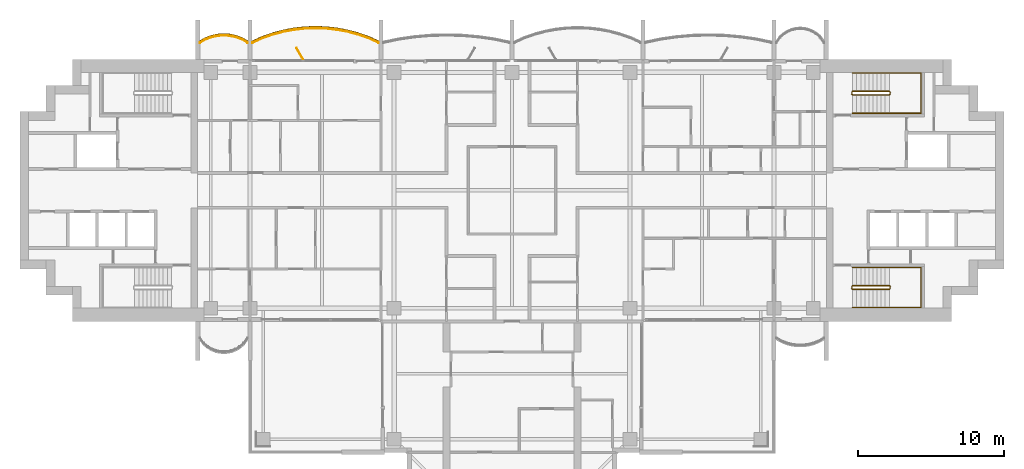
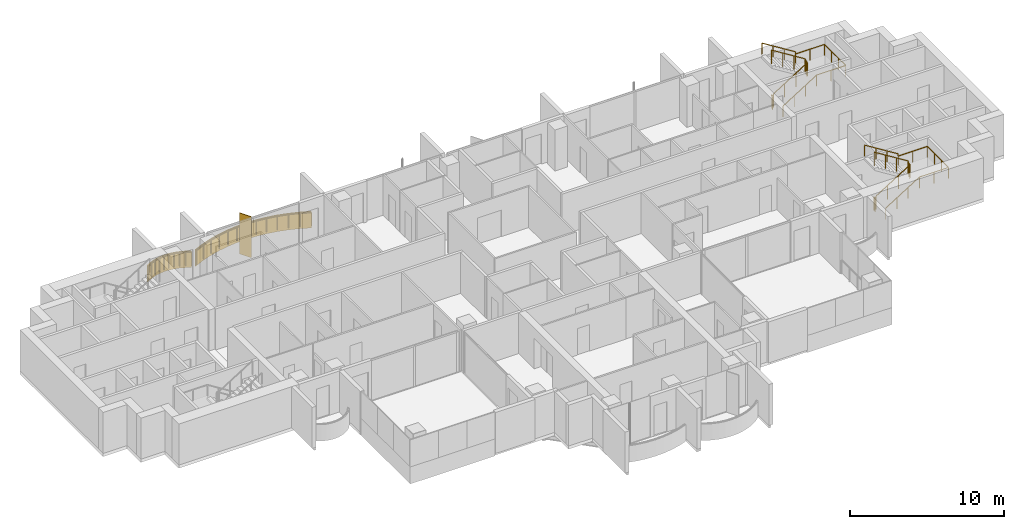
# One storey, part 17 of 18: 6 railings, 2 coverings, 1 shading device.
"""IFC4 building model written with IfcOpenShell, lengths in metres."""

from ifc_helpers import new_model, si_unit, direction, frame, origin, origin_2d, place, context, subcontext, project, spatial, polyline, rectangle, outline, extrude, material, layer, layer_set, type_object, element, save


model = new_model("IFC4")

# Units and contexts
model_context = context("Model", 3, precision=1e-05, world=origin(), true_north=direction((0.0, 1.0)))
body_context = subcontext(model_context, "Body", "Model", "MODEL_VIEW")
ifc_project = project(units=[si_unit("LENGTHUNIT", "METRE"), si_unit("AREAUNIT", "SQUARE_METRE"), si_unit("VOLUMEUNIT", "CUBIC_METRE"), si_unit("PLANEANGLEUNIT", "RADIAN"), si_unit("MASSUNIT", "GRAM", prefix="KILO")], contexts=[model_context])

# Site, building, storey
site_placement = place(None, origin())
site = spatial("IfcSite", under=ifc_project, at=site_placement, CompositionType="ELEMENT")
building_placement = place(site_placement, origin())
building = spatial("IfcBuilding", under=site, at=building_placement, Name="Perihelion Cross Residences", CompositionType="ELEMENT")
storey_placement = place(building_placement, frame((0.0, 0.0, 173.60009765625)))
storey = spatial("IfcBuildingStorey", under=building, at=storey_placement, Name="L42", CompositionType="ELEMENT", Elevation=173.60009765625)

# Coverings
ifc_material_1 = material(Name="Bronze anodised aluminium", Category="aluminium")
ifc_layer_1 = layer(ifc_material_1, 0.070068359375)
ifc_layer_set_1 = layer_set([ifc_layer_1], Name="Balcony fascia 1300")
covering_type = type_object("IfcCoveringType", Name="Balcony fascia 1300", PredefinedType="CLADDING", material=ifc_layer_set_1)
covering_1_placement = place(storey_placement, frame((0.0, 0.0, -0.2001953125)))
element("IfcCovering", 1, at=covering_1_placement, inside=storey, type_object=covering_type, Name="Fascia BF1 L42 west side north bay 1", PredefinedType="CLADDING", context=body_context, shape_type="SweptSolid", body=[
    extrude(outline(polyline([(-9.849365234375, 10.582275390625), (-10.57958984375, 10.83544921875), (-11.309814453125, 11.028076171875), (-12.039794921875, 11.1630859375), (-12.77001953125, 11.243408203125), (-13.5, 11.27001953125), (-14.22998046875, 11.243408203125), (-14.960205078125, 11.1630859375), (-15.690185546875, 11.028076171875), (-16.42041015625, 10.83544921875), (-17.150634765625, 10.582275390625), (-17.85009765625, 10.2763671875), (-17.85009765625, 10.199951171875), (-17.125, 10.51708984375), (-16.39990234375, 10.7685546875), (-15.675048828125, 10.959716796875), (-14.949951171875, 11.093994140625), (-14.22509765625, 11.173583984375), (-13.5, 11.199951171875), (-12.77490234375, 11.173583984375), (-12.050048828125, 11.093994140625), (-11.324951171875, 10.959716796875), (-10.60009765625, 10.7685546875), (-9.875, 10.51708984375), (-9.14990234375, 10.199951171875), (-9.14990234375, 10.2763671875), (-9.849365234375, 10.582275390625)])), origin(), (0.0, 0.0, 1.0), 1.300048828125),
])
covering_2_placement = place(storey_placement, frame((0.0, 0.0, -0.2001953125)))
element("IfcCovering", 2, at=covering_2_placement, inside=storey, type_object=covering_type, Name="Fascia BF1 L42 west side north bay 2", PredefinedType="CLADDING", context=body_context, shape_type="SweptSolid", body=[
    extrude(outline(polyline([(-18.486328125, 10.4716796875), (-18.861572265625, 10.62158203125), (-19.237060546875, 10.717529296875), (-19.6123046875, 10.76416015625), (-19.987548828125, 10.76416015625), (-20.363037109375, 10.717529296875), (-20.73828125, 10.62158203125), (-21.11376953125, 10.4716796875), (-21.449951171875, 10.280517578125), (-21.449951171875, 10.199951171875), (-21.083251953125, 10.40869140625), (-20.716552734375, 10.55517578125), (-20.35009765625, 10.648681640625), (-19.9833984375, 10.6943359375), (-19.61669921875, 10.6943359375), (-19.25, 10.648681640625), (-18.88330078125, 10.55517578125), (-18.5166015625, 10.40869140625), (-18.14990234375, 10.199951171875), (-18.14990234375, 10.280517578125), (-18.486328125, 10.4716796875)])), origin(), (0.0, 0.0, 1.0), 1.300048828125),
])

# Railings
ifc_material_2 = material(Name="Bronze anodised aluminium", Category="aluminium")
railing_type_1 = type_object("IfcRailingType", Name="Balcony guard 1100", PredefinedType="GUARDRAIL", material=ifc_material_2)
railing_1_placement = place(storey_placement, frame((-9.175048828125, 10.139892578125, 0.0)))
element("IfcRailing", 3, at=railing_1_placement, inside=storey, type_object=railing_type_1, Name="Guard GU1 L42 west side north bay 1 balcony", PredefinedType="GUARDRAIL", context=body_context, shape_type="SweptSolid", body=[
    extrude(rectangle(XDim=0.048095703125, YDim=0.048095703125, at=origin_2d()), frame((0.0, 0.0, 1.076171875), z_axis=(-0.910866309087, 0.412701547089, 0.0), x_axis=(-0.412701547089, -0.910866309087, 0.0)), (0.0, 0.0, 1.0), 0.7685546875),
    extrude(rectangle(XDim=0.048095703125, YDim=0.048095703125, at=origin_2d()), frame((-0.699951171875, 0.317138671875, 1.076171875), z_axis=(-0.944796812452, 0.327656807012, 0.0), x_axis=(-0.327656807012, -0.944796812452, 0.0)), (0.0, 0.0, 1.0), 0.767578125),
    extrude(rectangle(XDim=0.048095703125, YDim=0.048095703125, at=origin_2d()), frame((-1.425048828125, 0.568603515625, 1.076171875), z_axis=(-0.966939404945, 0.255006249266, 0.0), x_axis=(-0.255006249266, -0.966939404945, 0.0)), (0.0, 0.0, 1.0), 0.749755859375),
    extrude(rectangle(XDim=0.048095703125, YDim=0.048095703125, at=origin_2d()), frame((-2.14990234375, 0.759765625, 1.076171875), z_axis=(-0.983282004984, 0.182089260182, 0.0), x_axis=(-0.182089260182, -0.983282004984, 0.0)), (0.0, 0.0, 1.0), 0.7373046875),
    extrude(rectangle(XDim=0.048095703125, YDim=0.048095703125, at=origin_2d()), frame((-2.875, 0.89404296875, 1.076171875), z_axis=(-0.994025805622, 0.109145305703, 0.0), x_axis=(-0.109145305703, -0.994025805622, 0.0)), (0.0, 0.0, 1.0), 0.729248046875),
    extrude(rectangle(XDim=0.048095703125, YDim=0.048095703125, at=origin_2d()), frame((-3.599853515625, 0.9736328125, 1.076171875), z_axis=(-0.999339497946, 0.036339618107, 0.0), x_axis=(-0.036339618107, -0.999339497946, 0.0)), (0.0, 0.0, 1.0), 0.7255859375),
    extrude(rectangle(XDim=0.048095703125, YDim=0.048095703125, at=origin_2d()), frame((-4.324951171875, 1.0, 1.076171875), z_axis=(-0.999339497946, -0.036339618107, 0.0), x_axis=(0.036339618107, -0.999339497946, 0.0)), (0.0, 0.0, 1.0), 0.7255859375),
    extrude(rectangle(XDim=0.048095703125, YDim=0.048095703125, at=origin_2d()), frame((-5.050048828125, 0.9736328125, 1.076171875), z_axis=(-0.994025805622, -0.109145305703, 0.0), x_axis=(0.109145305703, -0.994025805622, 0.0)), (0.0, 0.0, 1.0), 0.729248046875),
    extrude(rectangle(XDim=0.048095703125, YDim=0.048095703125, at=origin_2d()), frame((-5.77490234375, 0.89404296875, 1.076171875), z_axis=(-0.983282004984, -0.182089260182, 0.0), x_axis=(0.182089260182, -0.983282004984, 0.0)), (0.0, 0.0, 1.0), 0.7373046875),
    extrude(rectangle(XDim=0.048095703125, YDim=0.048095703125, at=origin_2d()), frame((-6.5, 0.759765625, 1.076171875), z_axis=(-0.966939404945, -0.255006249266, 0.0), x_axis=(0.255006249266, -0.966939404945, 0.0)), (0.0, 0.0, 1.0), 0.749755859375),
    extrude(rectangle(XDim=0.048095703125, YDim=0.048095703125, at=origin_2d()), frame((-7.224853515625, 0.568603515625, 1.076171875), z_axis=(-0.944796812452, -0.327656807012, 0.0), x_axis=(0.327656807012, -0.944796812452, 0.0)), (0.0, 0.0, 1.0), 0.767578125),
    extrude(rectangle(XDim=0.048095703125, YDim=0.048095703125, at=origin_2d()), frame((-7.949951171875, 0.317138671875, 1.076171875), z_axis=(-0.910866309087, -0.412701547089, 0.0), x_axis=(0.412701547089, -0.910866309087, 0.0)), (0.0, 0.0, 1.0), 0.7685546875),
    extrude(rectangle(XDim=0.0419921875, YDim=0.0419921875, at=origin_2d()), origin(), (0.0, 0.0, 1.0), 1.052001953125),
    extrude(rectangle(XDim=0.0419921875, YDim=0.0419921875, at=origin_2d()), frame((-0.699951171875, 0.317138671875, 0.0)), (0.0, 0.0, 1.0), 1.052001953125),
    extrude(rectangle(XDim=0.0419921875, YDim=0.0419921875, at=origin_2d()), frame((-1.425048828125, 0.568603515625, 0.0)), (0.0, 0.0, 1.0), 1.052001953125),
    extrude(rectangle(XDim=0.0419921875, YDim=0.0419921875, at=origin_2d()), frame((-2.14990234375, 0.759765625, 0.0)), (0.0, 0.0, 1.0), 1.052001953125),
    extrude(rectangle(XDim=0.0419921875, YDim=0.0419921875, at=origin_2d()), frame((-2.875, 0.89404296875, 0.0)), (0.0, 0.0, 1.0), 1.052001953125),
    extrude(rectangle(XDim=0.0419921875, YDim=0.0419921875, at=origin_2d()), frame((-3.599853515625, 0.9736328125, 0.0)), (0.0, 0.0, 1.0), 1.052001953125),
    extrude(rectangle(XDim=0.0419921875, YDim=0.0419921875, at=origin_2d()), frame((-4.324951171875, 1.0, 0.0)), (0.0, 0.0, 1.0), 1.052001953125),
    extrude(rectangle(XDim=0.0419921875, YDim=0.0419921875, at=origin_2d()), frame((-5.050048828125, 0.9736328125, 0.0)), (0.0, 0.0, 1.0), 1.052001953125),
    extrude(rectangle(XDim=0.0419921875, YDim=0.0419921875, at=origin_2d()), frame((-5.77490234375, 0.89404296875, 0.0)), (0.0, 0.0, 1.0), 1.052001953125),
    extrude(rectangle(XDim=0.0419921875, YDim=0.0419921875, at=origin_2d()), frame((-6.5, 0.759765625, 0.0)), (0.0, 0.0, 1.0), 1.052001953125),
    extrude(rectangle(XDim=0.0419921875, YDim=0.0419921875, at=origin_2d()), frame((-7.224853515625, 0.568603515625, 0.0)), (0.0, 0.0, 1.0), 1.052001953125),
    extrude(rectangle(XDim=0.0419921875, YDim=0.0419921875, at=origin_2d()), frame((-7.949951171875, 0.317138671875, 0.0)), (0.0, 0.0, 1.0), 1.052001953125),
    extrude(rectangle(XDim=0.0419921875, YDim=0.0419921875, at=origin_2d()), frame((-8.64990234375, 0.0, 0.0)), (0.0, 0.0, 1.0), 1.052001953125),
])
railing_2_placement = place(storey_placement, frame((-18.175048828125, 10.139892578125, 0.0)))
element("IfcRailing", 4, at=railing_2_placement, inside=storey, type_object=railing_type_1, Name="Guard GU1 L42 west side north bay 2 balcony", PredefinedType="GUARDRAIL", context=body_context, shape_type="SweptSolid", body=[
    extrude(rectangle(XDim=0.048095703125, YDim=0.048095703125, at=origin_2d()), frame((0.0, 0.0, 1.076171875), z_axis=(-0.853266756821, 0.52147467983, 0.0), x_axis=(-0.52147467983, -0.853266756821, 0.0)), (0.0, 0.0, 1.0), 0.400390625),
    extrude(rectangle(XDim=0.048095703125, YDim=0.048095703125, at=origin_2d()), frame((-0.341552734375, 0.208740234375, 1.076171875), z_axis=(-0.928647151248, 0.37096424151, 0.0), x_axis=(-0.37096424151, -0.928647151248, 0.0)), (0.0, 0.0, 1.0), 0.394775390625),
    extrude(rectangle(XDim=0.048095703125, YDim=0.048095703125, at=origin_2d()), frame((-0.708251953125, 0.355224609375, 1.076171875), z_axis=(-0.968993337782, 0.247086849781, 0.0), x_axis=(-0.247086849781, -0.968993337782, 0.0)), (0.0, 0.0, 1.0), 0.37841796875),
    extrude(rectangle(XDim=0.048095703125, YDim=0.048095703125, at=origin_2d()), frame((-1.074951171875, 0.44873046875, 1.076171875), z_axis=(-0.992338742457, 0.123546834114, 0.0), x_axis=(-0.123546834114, -0.992338742457, 0.0)), (0.0, 0.0, 1.0), 0.36962890625),
    extrude(rectangle(XDim=0.048095703125, YDim=0.048095703125, at=origin_2d()), frame((-1.441650390625, 0.494384765625, 1.076171875), z_axis=(-1.0, 0.0, 0.0), x_axis=(0.0, -1.0, 0.0)), (0.0, 0.0, 1.0), 0.36669921875),
    extrude(rectangle(XDim=0.048095703125, YDim=0.048095703125, at=origin_2d()), frame((-1.808349609375, 0.494384765625, 1.076171875), z_axis=(-0.992338742457, -0.123546834114, 0.0), x_axis=(0.123546834114, -0.992338742457, 0.0)), (0.0, 0.0, 1.0), 0.36962890625),
    extrude(rectangle(XDim=0.048095703125, YDim=0.048095703125, at=origin_2d()), frame((-2.175048828125, 0.44873046875, 1.076171875), z_axis=(-0.968953914071, -0.247241405123, 0.0), x_axis=(0.247241405123, -0.968953914071, 0.0)), (0.0, 0.0, 1.0), 0.378173828125),
    extrude(rectangle(XDim=0.048095703125, YDim=0.048095703125, at=origin_2d()), frame((-2.54150390625, 0.355224609375, 1.076171875), z_axis=(-0.928647151248, -0.37096424151, 0.0), x_axis=(0.37096424151, -0.928647151248, 0.0)), (0.0, 0.0, 1.0), 0.394775390625),
    extrude(rectangle(XDim=0.048095703125, YDim=0.048095703125, at=origin_2d()), frame((-2.908203125, 0.208740234375, 1.076171875), z_axis=(-0.853432484338, -0.521203410078, 0.0), x_axis=(0.521203410078, -0.853432484338, 0.0)), (0.0, 0.0, 1.0), 0.400390625),
    extrude(rectangle(XDim=0.0419921875, YDim=0.0419921875, at=origin_2d()), origin(), (0.0, 0.0, 1.0), 1.052001953125),
    extrude(rectangle(XDim=0.0419921875, YDim=0.0419921875, at=origin_2d()), frame((-0.341552734375, 0.208740234375, 0.0)), (0.0, 0.0, 1.0), 1.052001953125),
    extrude(rectangle(XDim=0.0419921875, YDim=0.0419921875, at=origin_2d()), frame((-0.708251953125, 0.355224609375, 0.0)), (0.0, 0.0, 1.0), 1.052001953125),
    extrude(rectangle(XDim=0.0419921875, YDim=0.0419921875, at=origin_2d()), frame((-1.074951171875, 0.44873046875, 0.0)), (0.0, 0.0, 1.0), 1.052001953125),
    extrude(rectangle(XDim=0.0419921875, YDim=0.0419921875, at=origin_2d()), frame((-1.441650390625, 0.494384765625, 0.0)), (0.0, 0.0, 1.0), 1.052001953125),
    extrude(rectangle(XDim=0.0419921875, YDim=0.0419921875, at=origin_2d()), frame((-1.808349609375, 0.494384765625, 0.0)), (0.0, 0.0, 1.0), 1.052001953125),
    extrude(rectangle(XDim=0.0419921875, YDim=0.0419921875, at=origin_2d()), frame((-2.175048828125, 0.44873046875, 0.0)), (0.0, 0.0, 1.0), 1.052001953125),
    extrude(rectangle(XDim=0.0419921875, YDim=0.0419921875, at=origin_2d()), frame((-2.54150390625, 0.355224609375, 0.0)), (0.0, 0.0, 1.0), 1.052001953125),
    extrude(rectangle(XDim=0.0419921875, YDim=0.0419921875, at=origin_2d()), frame((-2.908203125, 0.208740234375, 0.0)), (0.0, 0.0, 1.0), 1.052001953125),
    extrude(rectangle(XDim=0.0419921875, YDim=0.0419921875, at=origin_2d()), frame((-3.25, 0.0, 0.0)), (0.0, 0.0, 1.0), 1.052001953125),
])

# Shading device
ifc_material_3 = material(Name="Bronze anodised aluminium", Category="aluminium")
ifc_layer_2 = layer(ifc_material_3, 0.050048828125)
ifc_layer_set_2 = layer_set([ifc_layer_2], Name="Bronze fin 900")
shading_device_type = type_object("IfcShadingDeviceType", Name="Bronze fin 900", PredefinedType="USERDEFINED", material=ifc_layer_set_2)
shading_device_placement = place(storey_placement, frame((-14.574951171875, 9.3896484375, 0.0), z_axis=(0.0, 0.0, 1.0), x_axis=(-0.5, 0.866025403784, 0.0)))
element("IfcShadingDevice", 5, at=shading_device_placement, inside=storey, type_object=shading_device_type, Name="Fin FN1 L42 west side north bay 1", ObjectType="FIN", PredefinedType="USERDEFINED", context=body_context, shape_type="SweptSolid", body=[
    extrude(rectangle(XDim=0.89990234375, YDim=0.050048828125, at=origin_2d()), origin(), (0.0, 0.0, 1.0), 3.25),
])

# Railings
ifc_material_4 = material(Name="Stainless steel", Category="steel")
railing_type_2 = type_object("IfcRailingType", Name="Stair guard 1100", PredefinedType="GUARDRAIL", material=ifc_material_4)
railing_3_placement = place(storey_placement, frame((23.35009765625, 6.75, 0.0)))
element("IfcRailing", 6, at=railing_3_placement, inside=storey, type_object=railing_type_2, Name="L42 ST-E1 stair guard 1", PredefinedType="GUARDRAIL", context=body_context, shape_type="SweptSolid", body=[
    extrude(rectangle(XDim=0.048095703125, YDim=0.048095703125, at=origin_2d()), frame((0.0, 0.0, 1.076171875), z_axis=(0.0, -1.0, 0.0), x_axis=(1.0, 0.0, 0.0)), (0.0, 0.0, 1.0), 0.14990234375),
    extrude(rectangle(XDim=0.048095703125, YDim=0.048095703125, at=origin_2d()), frame((0.0, -0.14990234375, 1.076171875), z_axis=(0.264179342666, -0.265474339444, 0.927217692888), x_axis=(0.708833529934, 0.705375805398, 0.0)), (0.0, 0.0, 1.0), 0.1884765625),
    extrude(rectangle(XDim=0.048095703125, YDim=0.048095703125, at=origin_2d()), frame((0.0498046875, -0.199951171875, 1.2509765625), z_axis=(0.847970611238, 0.0, 0.530043245855), x_axis=(0.0, 1.0, 0.0)), (0.0, 0.0, 1.0), 2.971923828125),
    extrude(rectangle(XDim=0.048095703125, YDim=0.048095703125, at=origin_2d()), frame((2.56982421875, -0.199951171875, 2.826171875), z_axis=(0.707106781187, 0.707106781187, 0.0), x_axis=(-0.707106781187, 0.707106781187, 0.0)), (0.0, 0.0, 1.0), 0.07080078125),
    extrude(rectangle(XDim=0.048095703125, YDim=0.048095703125, at=origin_2d()), frame((2.619873046875, -0.14990234375, 2.826171875), z_axis=(0.0, 1.0, 0.0), x_axis=(-1.0, 0.0, 0.0)), (0.0, 0.0, 1.0), 0.14990234375),
    extrude(rectangle(XDim=0.048095703125, YDim=0.048095703125, at=origin_2d()), frame((2.619873046875, 0.0, 2.826171875), z_axis=(-0.265383341853, 0.265383341853, 0.926899867156), x_axis=(-0.707106781187, -0.707106781187, 0.0)), (0.0, 0.0, 1.0), 0.1884765625),
    extrude(rectangle(XDim=0.048095703125, YDim=0.048095703125, at=origin_2d()), frame((2.56982421875, 0.050048828125, 3.0009765625), z_axis=(-0.847970611238, 0.0, 0.530043245855), x_axis=(0.0, -1.0, 0.0)), (0.0, 0.0, 1.0), 2.971923828125),
    extrude(rectangle(XDim=0.0419921875, YDim=0.0419921875, at=origin_2d()), origin(), (0.0, 0.0, 1.0), 1.052001953125),
    extrude(rectangle(XDim=0.0419921875, YDim=0.0419921875, at=origin_2d()), frame((0.0, -0.14990234375, 0.0)), (0.0, 0.0, 1.0), 1.052001953125),
    extrude(rectangle(XDim=0.0419921875, YDim=0.0419921875, at=origin_2d()), frame((0.0498046875, -0.199951171875, 0.1748046875)), (0.0, 0.0, 1.0), 1.052001953125),
    extrude(rectangle(XDim=0.0419921875, YDim=0.0419921875, at=origin_2d()), frame((0.889892578125, -0.199951171875, 0.699951171875)), (0.0, 0.0, 1.0), 1.052001953125),
    extrude(rectangle(XDim=0.0419921875, YDim=0.0419921875, at=origin_2d()), frame((1.729736328125, -0.199951171875, 1.224853515625)), (0.0, 0.0, 1.0), 1.052001953125),
    extrude(rectangle(XDim=0.0419921875, YDim=0.0419921875, at=origin_2d()), frame((2.56982421875, -0.199951171875, 1.75)), (0.0, 0.0, 1.0), 1.052001953125),
    extrude(rectangle(XDim=0.0419921875, YDim=0.0419921875, at=origin_2d()), frame((2.619873046875, -0.14990234375, 1.75)), (0.0, 0.0, 1.0), 1.052001953125),
    extrude(rectangle(XDim=0.0419921875, YDim=0.0419921875, at=origin_2d()), frame((2.619873046875, 0.0, 1.75)), (0.0, 0.0, 1.0), 1.052001953125),
    extrude(rectangle(XDim=0.0419921875, YDim=0.0419921875, at=origin_2d()), frame((2.56982421875, 0.050048828125, 1.9248046875)), (0.0, 0.0, 1.0), 1.052001953125),
    extrude(rectangle(XDim=0.0419921875, YDim=0.0419921875, at=origin_2d()), frame((1.729736328125, 0.050048828125, 2.449951171875)), (0.0, 0.0, 1.0), 1.052001953125),
    extrude(rectangle(XDim=0.0419921875, YDim=0.0419921875, at=origin_2d()), frame((0.889892578125, 0.050048828125, 2.974853515625)), (0.0, 0.0, 1.0), 1.052001953125),
    extrude(rectangle(XDim=0.0419921875, YDim=0.0419921875, at=origin_2d()), frame((0.0498046875, 0.050048828125, 3.5)), (0.0, 0.0, 1.0), 1.052001953125),
])
railing_4_placement = place(storey_placement, frame((23.35009765625, -6.60009765625, 0.0)))
element("IfcRailing", 7, at=railing_4_placement, inside=storey, type_object=railing_type_2, Name="L42 ST-E2 stair guard 1", PredefinedType="GUARDRAIL", context=body_context, shape_type="SweptSolid", body=[
    extrude(rectangle(XDim=0.048095703125, YDim=0.048095703125, at=origin_2d()), frame((0.0, 0.0, 1.076171875), z_axis=(0.0, -1.0, 0.0), x_axis=(1.0, 0.0, 0.0)), (0.0, 0.0, 1.0), 0.14990234375),
    extrude(rectangle(XDim=0.048095703125, YDim=0.048095703125, at=origin_2d()), frame((0.0, -0.14990234375, 1.076171875), z_axis=(0.264179342666, -0.265474339444, 0.927217692888), x_axis=(0.708833529934, 0.705375805398, 0.0)), (0.0, 0.0, 1.0), 0.1884765625),
    extrude(rectangle(XDim=0.048095703125, YDim=0.048095703125, at=origin_2d()), frame((0.0498046875, -0.199951171875, 1.2509765625), z_axis=(0.847970611238, 0.0, 0.530043245855), x_axis=(0.0, 1.0, 0.0)), (0.0, 0.0, 1.0), 2.971923828125),
    extrude(rectangle(XDim=0.048095703125, YDim=0.048095703125, at=origin_2d()), frame((2.56982421875, -0.199951171875, 2.826171875), z_axis=(0.707106781187, 0.707106781187, 0.0), x_axis=(-0.707106781187, 0.707106781187, 0.0)), (0.0, 0.0, 1.0), 0.07080078125),
    extrude(rectangle(XDim=0.048095703125, YDim=0.048095703125, at=origin_2d()), frame((2.619873046875, -0.14990234375, 2.826171875), z_axis=(0.0, 1.0, 0.0), x_axis=(-1.0, 0.0, 0.0)), (0.0, 0.0, 1.0), 0.14990234375),
    extrude(rectangle(XDim=0.048095703125, YDim=0.048095703125, at=origin_2d()), frame((2.619873046875, 0.0, 2.826171875), z_axis=(-0.265383341853, 0.265383341853, 0.926899867156), x_axis=(-0.707106781187, -0.707106781187, 0.0)), (0.0, 0.0, 1.0), 0.1884765625),
    extrude(rectangle(XDim=0.048095703125, YDim=0.048095703125, at=origin_2d()), frame((2.56982421875, 0.050048828125, 3.0009765625), z_axis=(-0.847970611238, 0.0, 0.530043245855), x_axis=(0.0, -1.0, 0.0)), (0.0, 0.0, 1.0), 2.971923828125),
    extrude(rectangle(XDim=0.0419921875, YDim=0.0419921875, at=origin_2d()), origin(), (0.0, 0.0, 1.0), 1.052001953125),
    extrude(rectangle(XDim=0.0419921875, YDim=0.0419921875, at=origin_2d()), frame((0.0, -0.14990234375, 0.0)), (0.0, 0.0, 1.0), 1.052001953125),
    extrude(rectangle(XDim=0.0419921875, YDim=0.0419921875, at=origin_2d()), frame((0.0498046875, -0.199951171875, 0.1748046875)), (0.0, 0.0, 1.0), 1.052001953125),
    extrude(rectangle(XDim=0.0419921875, YDim=0.0419921875, at=origin_2d()), frame((0.889892578125, -0.199951171875, 0.699951171875)), (0.0, 0.0, 1.0), 1.052001953125),
    extrude(rectangle(XDim=0.0419921875, YDim=0.0419921875, at=origin_2d()), frame((1.729736328125, -0.199951171875, 1.224853515625)), (0.0, 0.0, 1.0), 1.052001953125),
    extrude(rectangle(XDim=0.0419921875, YDim=0.0419921875, at=origin_2d()), frame((2.56982421875, -0.199951171875, 1.75)), (0.0, 0.0, 1.0), 1.052001953125),
    extrude(rectangle(XDim=0.0419921875, YDim=0.0419921875, at=origin_2d()), frame((2.619873046875, -0.14990234375, 1.75)), (0.0, 0.0, 1.0), 1.052001953125),
    extrude(rectangle(XDim=0.0419921875, YDim=0.0419921875, at=origin_2d()), frame((2.619873046875, 0.0, 1.75)), (0.0, 0.0, 1.0), 1.052001953125),
    extrude(rectangle(XDim=0.0419921875, YDim=0.0419921875, at=origin_2d()), frame((2.56982421875, 0.050048828125, 1.9248046875)), (0.0, 0.0, 1.0), 1.052001953125),
    extrude(rectangle(XDim=0.0419921875, YDim=0.0419921875, at=origin_2d()), frame((1.729736328125, 0.050048828125, 2.449951171875)), (0.0, 0.0, 1.0), 1.052001953125),
    extrude(rectangle(XDim=0.0419921875, YDim=0.0419921875, at=origin_2d()), frame((0.889892578125, 0.050048828125, 2.974853515625)), (0.0, 0.0, 1.0), 1.052001953125),
    extrude(rectangle(XDim=0.0419921875, YDim=0.0419921875, at=origin_2d()), frame((0.0498046875, 0.050048828125, 3.5)), (0.0, 0.0, 1.0), 1.052001953125),
])
ifc_material_5 = material(Name="Stainless steel", Category="steel")
railing_type_3 = type_object("IfcRailingType", Name="Stair handrail 900", PredefinedType="HANDRAIL", material=ifc_material_5)
railing_5_placement = place(storey_placement, frame((23.39990234375, 5.300048828125, 0.1748046875)))
element("IfcRailing", 8, at=railing_5_placement, inside=storey, type_object=railing_type_3, Name="L42 ST-E1 stair handrail 1", PredefinedType="HANDRAIL", context=body_context, shape_type="SweptSolid", body=[
    extrude(rectangle(XDim=0.048095703125, YDim=0.048095703125, at=origin_2d()), frame((0.0, 0.0, 0.8759765625), z_axis=(0.847970611238, 0.0, 0.530043245855), x_axis=(0.0, 1.0, 0.0)), (0.0, 0.0, 1.0), 2.971923828125),
    extrude(rectangle(XDim=0.048095703125, YDim=0.048095703125, at=origin_2d()), frame((2.52001953125, 0.0, 2.451171875), z_axis=(1.0, 0.0, 0.0), x_axis=(0.0, 1.0, 0.0)), (0.0, 0.0, 1.0), 2.18017578125),
    extrude(rectangle(XDim=0.048095703125, YDim=0.048095703125, at=origin_2d()), frame((4.7001953125, 0.0, 2.451171875), z_axis=(0.0, 1.0, 0.0), x_axis=(-1.0, 0.0, 0.0)), (0.0, 0.0, 1.0), 2.75),
    extrude(rectangle(XDim=0.048095703125, YDim=0.048095703125, at=origin_2d()), frame((4.7001953125, 2.75, 2.451171875), z_axis=(-1.0, 0.0, 0.0), x_axis=(0.0, -1.0, 0.0)), (0.0, 0.0, 1.0), 2.18017578125),
    extrude(rectangle(XDim=0.048095703125, YDim=0.048095703125, at=origin_2d()), frame((2.52001953125, 2.75, 2.451171875), z_axis=(0.0, 0.0, 1.0), x_axis=(1.0, 0.0, 0.0)), (0.0, 0.0, 1.0), 0.1748046875),
    extrude(rectangle(XDim=0.048095703125, YDim=0.048095703125, at=origin_2d()), frame((2.52001953125, 2.75, 2.6259765625), z_axis=(-0.847970611238, 0.0, 0.530043245855), x_axis=(0.0, -1.0, 0.0)), (0.0, 0.0, 1.0), 2.971923828125),
    extrude(rectangle(XDim=0.0419921875, YDim=0.0419921875, at=origin_2d()), origin(), (0.0, 0.0, 1.0), 0.851806640625),
    extrude(rectangle(XDim=0.0419921875, YDim=0.0419921875, at=origin_2d()), frame((0.840087890625, 0.0, 0.525146484375)), (0.0, 0.0, 1.0), 0.851806640625),
    extrude(rectangle(XDim=0.0419921875, YDim=0.0419921875, at=origin_2d()), frame((1.679931640625, 0.0, 1.050048828125)), (0.0, 0.0, 1.0), 0.851806640625),
    extrude(rectangle(XDim=0.0419921875, YDim=0.0419921875, at=origin_2d()), frame((2.52001953125, 0.0, 1.5751953125)), (0.0, 0.0, 1.0), 0.851806640625),
    extrude(rectangle(XDim=0.0419921875, YDim=0.0419921875, at=origin_2d()), frame((3.610107421875, 0.0, 1.5751953125)), (0.0, 0.0, 1.0), 0.851806640625),
    extrude(rectangle(XDim=0.0419921875, YDim=0.0419921875, at=origin_2d()), frame((4.7001953125, 0.0, 1.5751953125)), (0.0, 0.0, 1.0), 0.851806640625),
    extrude(rectangle(XDim=0.0419921875, YDim=0.0419921875, at=origin_2d()), frame((4.7001953125, 0.916748046875, 1.5751953125)), (0.0, 0.0, 1.0), 0.851806640625),
    extrude(rectangle(XDim=0.0419921875, YDim=0.0419921875, at=origin_2d()), frame((4.7001953125, 1.833251953125, 1.5751953125)), (0.0, 0.0, 1.0), 0.851806640625),
    extrude(rectangle(XDim=0.0419921875, YDim=0.0419921875, at=origin_2d()), frame((4.7001953125, 2.75, 1.5751953125)), (0.0, 0.0, 1.0), 0.851806640625),
    extrude(rectangle(XDim=0.0419921875, YDim=0.0419921875, at=origin_2d()), frame((3.610107421875, 2.75, 1.5751953125)), (0.0, 0.0, 1.0), 0.851806640625),
    extrude(rectangle(XDim=0.0419921875, YDim=0.0419921875, at=origin_2d()), frame((2.52001953125, 2.75, 1.5751953125)), (0.0, 0.0, 1.0), 0.851806640625),
    extrude(rectangle(XDim=0.0419921875, YDim=0.0419921875, at=origin_2d()), frame((2.52001953125, 2.75, 1.75)), (0.0, 0.0, 1.0), 0.851806640625),
    extrude(rectangle(XDim=0.0419921875, YDim=0.0419921875, at=origin_2d()), frame((1.679931640625, 2.75, 2.275146484375)), (0.0, 0.0, 1.0), 0.851806640625),
    extrude(rectangle(XDim=0.0419921875, YDim=0.0419921875, at=origin_2d()), frame((0.840087890625, 2.75, 2.800048828125)), (0.0, 0.0, 1.0), 0.851806640625),
    extrude(rectangle(XDim=0.0419921875, YDim=0.0419921875, at=origin_2d()), frame((0.0, 2.75, 3.3251953125)), (0.0, 0.0, 1.0), 0.851806640625),
])
railing_6_placement = place(storey_placement, frame((23.39990234375, -8.050048828125, 0.1748046875)))
element("IfcRailing", 9, at=railing_6_placement, inside=storey, type_object=railing_type_3, Name="L42 ST-E2 stair handrail 1", PredefinedType="HANDRAIL", context=body_context, shape_type="SweptSolid", body=[
    extrude(rectangle(XDim=0.048095703125, YDim=0.048095703125, at=origin_2d()), frame((0.0, 0.0, 0.8759765625), z_axis=(0.847970611238, 0.0, 0.530043245855), x_axis=(0.0, 1.0, 0.0)), (0.0, 0.0, 1.0), 2.971923828125),
    extrude(rectangle(XDim=0.048095703125, YDim=0.048095703125, at=origin_2d()), frame((2.52001953125, 0.0, 2.451171875), z_axis=(1.0, 0.0, 0.0), x_axis=(0.0, 1.0, 0.0)), (0.0, 0.0, 1.0), 2.18017578125),
    extrude(rectangle(XDim=0.048095703125, YDim=0.048095703125, at=origin_2d()), frame((4.7001953125, 0.0, 2.451171875), z_axis=(0.0, 1.0, 0.0), x_axis=(-1.0, 0.0, 0.0)), (0.0, 0.0, 1.0), 2.75),
    extrude(rectangle(XDim=0.048095703125, YDim=0.048095703125, at=origin_2d()), frame((4.7001953125, 2.75, 2.451171875), z_axis=(-1.0, 0.0, 0.0), x_axis=(0.0, -1.0, 0.0)), (0.0, 0.0, 1.0), 2.18017578125),
    extrude(rectangle(XDim=0.048095703125, YDim=0.048095703125, at=origin_2d()), frame((2.52001953125, 2.75, 2.451171875), z_axis=(0.0, 0.0, 1.0), x_axis=(1.0, 0.0, 0.0)), (0.0, 0.0, 1.0), 0.1748046875),
    extrude(rectangle(XDim=0.048095703125, YDim=0.048095703125, at=origin_2d()), frame((2.52001953125, 2.75, 2.6259765625), z_axis=(-0.847970611238, 0.0, 0.530043245855), x_axis=(0.0, -1.0, 0.0)), (0.0, 0.0, 1.0), 2.971923828125),
    extrude(rectangle(XDim=0.0419921875, YDim=0.0419921875, at=origin_2d()), origin(), (0.0, 0.0, 1.0), 0.851806640625),
    extrude(rectangle(XDim=0.0419921875, YDim=0.0419921875, at=origin_2d()), frame((0.840087890625, 0.0, 0.525146484375)), (0.0, 0.0, 1.0), 0.851806640625),
    extrude(rectangle(XDim=0.0419921875, YDim=0.0419921875, at=origin_2d()), frame((1.679931640625, 0.0, 1.050048828125)), (0.0, 0.0, 1.0), 0.851806640625),
    extrude(rectangle(XDim=0.0419921875, YDim=0.0419921875, at=origin_2d()), frame((2.52001953125, 0.0, 1.5751953125)), (0.0, 0.0, 1.0), 0.851806640625),
    extrude(rectangle(XDim=0.0419921875, YDim=0.0419921875, at=origin_2d()), frame((3.610107421875, 0.0, 1.5751953125)), (0.0, 0.0, 1.0), 0.851806640625),
    extrude(rectangle(XDim=0.0419921875, YDim=0.0419921875, at=origin_2d()), frame((4.7001953125, 0.0, 1.5751953125)), (0.0, 0.0, 1.0), 0.851806640625),
    extrude(rectangle(XDim=0.0419921875, YDim=0.0419921875, at=origin_2d()), frame((4.7001953125, 0.916748046875, 1.5751953125)), (0.0, 0.0, 1.0), 0.851806640625),
    extrude(rectangle(XDim=0.0419921875, YDim=0.0419921875, at=origin_2d()), frame((4.7001953125, 1.833251953125, 1.5751953125)), (0.0, 0.0, 1.0), 0.851806640625),
    extrude(rectangle(XDim=0.0419921875, YDim=0.0419921875, at=origin_2d()), frame((4.7001953125, 2.75, 1.5751953125)), (0.0, 0.0, 1.0), 0.851806640625),
    extrude(rectangle(XDim=0.0419921875, YDim=0.0419921875, at=origin_2d()), frame((3.610107421875, 2.75, 1.5751953125)), (0.0, 0.0, 1.0), 0.851806640625),
    extrude(rectangle(XDim=0.0419921875, YDim=0.0419921875, at=origin_2d()), frame((2.52001953125, 2.75, 1.5751953125)), (0.0, 0.0, 1.0), 0.851806640625),
    extrude(rectangle(XDim=0.0419921875, YDim=0.0419921875, at=origin_2d()), frame((2.52001953125, 2.75, 1.75)), (0.0, 0.0, 1.0), 0.851806640625),
    extrude(rectangle(XDim=0.0419921875, YDim=0.0419921875, at=origin_2d()), frame((1.679931640625, 2.75, 2.275146484375)), (0.0, 0.0, 1.0), 0.851806640625),
    extrude(rectangle(XDim=0.0419921875, YDim=0.0419921875, at=origin_2d()), frame((0.840087890625, 2.75, 2.800048828125)), (0.0, 0.0, 1.0), 0.851806640625),
    extrude(rectangle(XDim=0.0419921875, YDim=0.0419921875, at=origin_2d()), frame((0.0, 2.75, 3.3251953125)), (0.0, 0.0, 1.0), 0.851806640625),
])

save(model, "model.ifc")
